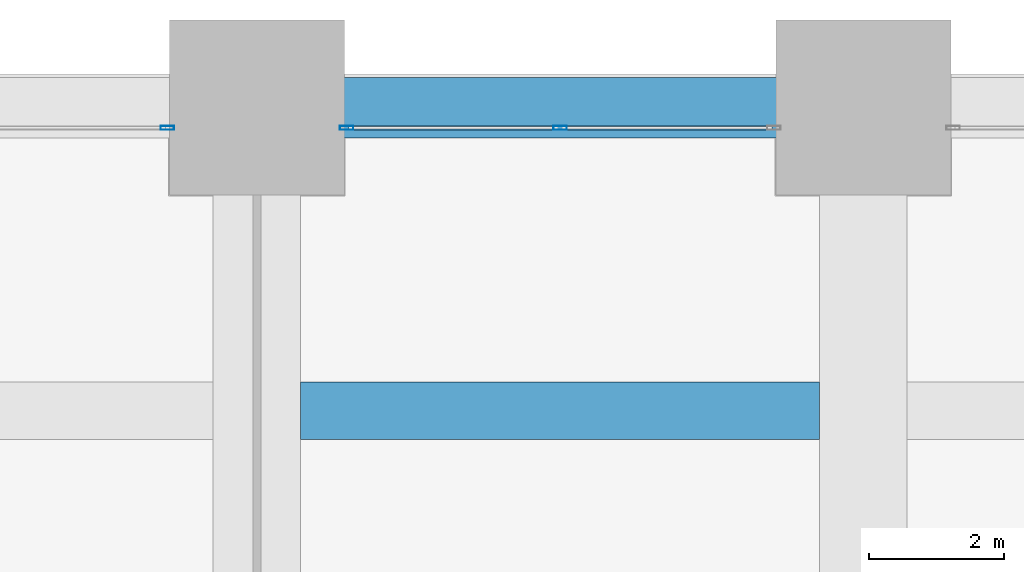
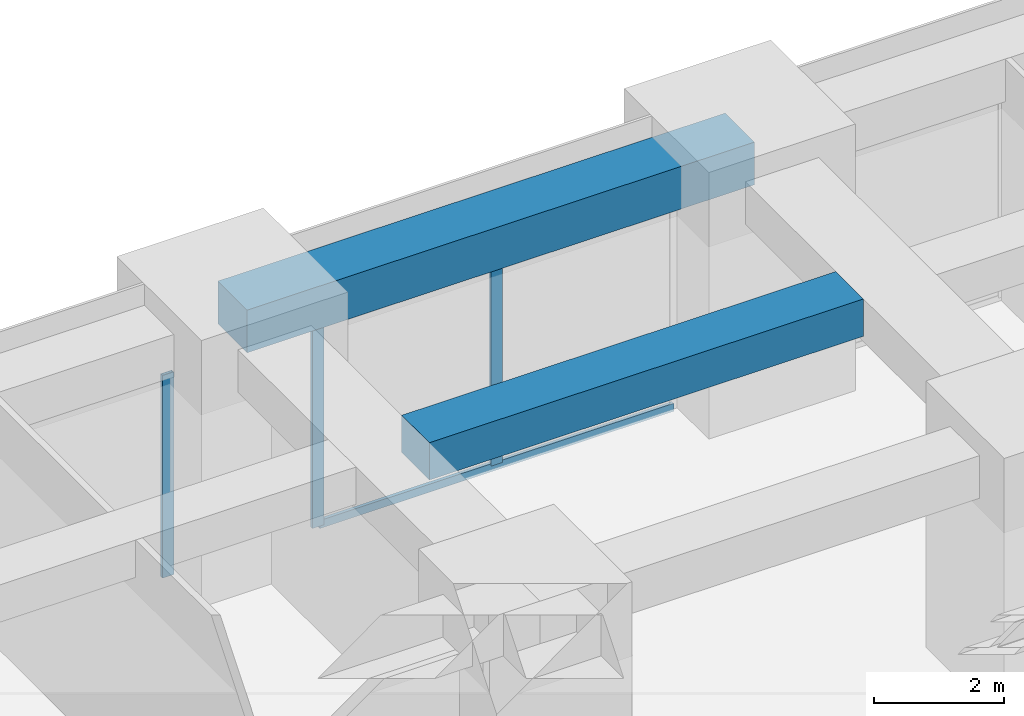
# One storey, part 25 of 46: 4 members, 2 beams, 2 elements without a shape of their own.
"""IFC4 building model written with IfcOpenShell, lengths in metres."""

import ifcopenshell
import ifcopenshell.guid

model = None  # the IFC model being written
_history = None  # IfcOwnerHistory: only IFC2X3 demands one
_inside = {}  # id of a spatial element -> (the spatial element, [elements in it])
_under = {}  # id of a project, library or spatial element -> (it, [spatial elements below it])
_declared = {}  # id of a project -> (the project, [libraries it declares])
_typed = {}  # id of a type object -> (the type object, [elements of that type])
_made_of = {}  # id of a material, layer set ... -> (it, [elements and type objects made of it])


def new_model(schema):
    """Start an empty IFC model of exactly this schema.

    Asked for "IFC4X3", IfcOpenShell would pick the latest addendum, in which some entities
    have other attributes; the version numbers below select the first issue.
    IFC2X3 requires an IfcOwnerHistory on every rooted entity: one is made here for all.
    """
    global model, _history
    if schema == "IFC4X3":
        model = ifcopenshell.file(schema_version=(4, 3, 0, 0))
    else:
        model = ifcopenshell.file(schema=schema)
    _inside.clear()
    _under.clear()
    _declared.clear()
    _typed.clear()
    _made_of.clear()
    _history = None
    if model.schema == "IFC2X3":
        org = make("IfcOrganization", Name="unknown")
        user = make(
            "IfcPersonAndOrganization",
            ThePerson=make("IfcPerson", FamilyName="unknown"),
            TheOrganization=org,
        )
        app = make(
            "IfcApplication",
            ApplicationDeveloper=org,
            Version="unknown",
            ApplicationFullName="unknown",
            ApplicationIdentifier="unknown",
        )
        _history = make(
            "IfcOwnerHistory",
            OwningUser=user,
            OwningApplication=app,
            ChangeAction="ADDED",
            CreationDate=0,
        )
    return model


def make(cls, **values):
    """One entity of the class cls with the attributes given. An attribute that is None is left unset."""
    return model.create_entity(
        cls, **{name: value for name, value in values.items() if value is not None}
    )


def rooted(cls, **values):
    """An entity with a GlobalId (a new one), such as an element, a storey or a relation."""
    return make(cls, GlobalId=ifcopenshell.guid.new(), OwnerHistory=_history, **values)


def si_unit(unit_type, name, prefix=None):
    """IfcSIUnit, for example si_unit("LENGTHUNIT", "METRE", prefix="MILLI")."""
    return make("IfcSIUnit", UnitType=unit_type, Prefix=prefix, Name=name)


def assignment(units):
    """IfcUnitAssignment: the units of a project."""
    return None if units is None else make("IfcUnitAssignment", Units=units)


def point(xyz):
    """IfcCartesianPoint."""
    return None if xyz is None else make("IfcCartesianPoint", Coordinates=xyz)


def direction(xyz):
    """IfcDirection."""
    return None if xyz is None else make("IfcDirection", DirectionRatios=xyz)


def frame(location, z_axis=None, x_axis=None):
    """IfcAxis2Placement3D, a coordinate frame: its origin and axes. An axis left out is left unset."""
    return make(
        "IfcAxis2Placement3D",
        Location=point(location),
        Axis=direction(z_axis),
        RefDirection=direction(x_axis),
    )


def frame_2d(location, x_axis=None):
    """IfcAxis2Placement2D, a coordinate frame in the plane: its origin and x axis."""
    return make(
        "IfcAxis2Placement2D", Location=point(location), RefDirection=direction(x_axis)
    )


def origin():
    """The frame at (0, 0, 0) with its axes left unset."""
    return frame((0.0, 0.0, 0.0))


def origin_2d():
    """The frame at (0, 0) in the plane with its x axis left unset."""
    return frame_2d((0.0, 0.0))


def place(relative_to, where):
    """IfcLocalPlacement: puts the frame where relative to a parent placement (None: the world)."""
    return make(
        "IfcLocalPlacement", PlacementRelTo=relative_to, RelativePlacement=where
    )


def context(
    kind, dimensions, precision=None, world=None, true_north=None, identifier=None
):
    """IfcGeometricRepresentationContext, for example the 3D "Model" context."""
    return make(
        "IfcGeometricRepresentationContext",
        ContextIdentifier=identifier,
        ContextType=kind,
        CoordinateSpaceDimension=dimensions,
        Precision=precision,
        WorldCoordinateSystem=world,
        TrueNorth=true_north,
    )


def subcontext(parent, identifier, kind, view, scale=None):
    """IfcGeometricRepresentationSubContext, for example "Body" below "Model"."""
    return make(
        "IfcGeometricRepresentationSubContext",
        ContextIdentifier=identifier,
        ContextType=kind,
        ParentContext=parent,
        TargetScale=scale,
        TargetView=view,
    )


def project(units=None, contexts=None):
    """IfcProject with its units and contexts."""
    return rooted(
        "IfcProject",
        Name="project",
        RepresentationContexts=contexts,
        UnitsInContext=assignment(units),
    )


def spatial(cls, under=None, at=None, **own):
    """A site, building, storey or space (cls), placed at a placement, below another one or the project."""
    s = rooted(cls, ObjectPlacement=at, **own)
    if under is not None:
        _under.setdefault(under.id(), (under, []))[1].append(s)
    return s


def profile(cls, at=None, kind="AREA", **sizes):
    """A parametric profile (cls). Its sizes go by their IFC names, for example OverallWidth=200.0."""
    return make(cls, ProfileType=kind, Position=at, **sizes)


def rectangle(**sizes):
    """IfcRectangleProfileDef."""
    return profile("IfcRectangleProfileDef", **sizes)


def hollow_rectangle(**sizes):
    """IfcRectangleHollowProfileDef."""
    return profile("IfcRectangleHollowProfileDef", **sizes)


def extrude(swept, where, along, depth):
    """IfcExtrudedAreaSolid: the profile swept, set in the frame where, extruded along a direction by depth."""
    return make(
        "IfcExtrudedAreaSolid",
        SweptArea=swept,
        Position=where,
        ExtrudedDirection=direction(along),
        Depth=depth,
    )


def shape(context_of_items, identifier, shape_type, items):
    """IfcShapeRepresentation: the items that make up one representation, for example the "Body"."""
    return make(
        "IfcShapeRepresentation",
        ContextOfItems=context_of_items,
        RepresentationIdentifier=identifier,
        RepresentationType=shape_type,
        Items=items,
    )


def material(Name=None, Category=None):
    """IfcMaterial."""
    return make("IfcMaterial", Name=Name, Category=Category)


def material_profile(
    of_material, cross_section, Name=None, Category=None, Priority=None
):
    """IfcMaterialProfile: a cross section and its material."""
    return make(
        "IfcMaterialProfile",
        Name=Name,
        Material=of_material,
        Profile=cross_section,
        Priority=Priority,
        Category=Category,
    )


def profile_set(profiles, Name=None, composite=None):
    """IfcMaterialProfileSet."""
    return make(
        "IfcMaterialProfileSet",
        Name=Name,
        MaterialProfiles=profiles,
        CompositeProfile=composite,
    )


def made_of(thing, what):
    """Note that an element or type object is made of a material, layer set ...; save() writes the relation."""
    if what is not None:
        _made_of.setdefault(what.id(), (what, []))[1].append(thing)
    return thing


def type_object(cls, material=None, **own):
    """A type object (cls), such as IfcWallType, which elements share."""
    return made_of(rooted(cls, **own), material)


def element(
    cls,
    number,
    at=None,
    inside=None,
    cuts=None,
    type_object=None,
    material=None,
    context=None,
    identifier="Body",
    shape_type=None,
    held_by="IfcProductDefinitionShape",
    body=None,
    shapes=None,
    **own,
):
    """One element of the class cls, such as IfcWall. Its Tag is "e" and its number.

    at: its placement. inside: the storey or other place that contains it. cuts: it is an
    opening in that element (IfcRelVoidsElement). A single representation is given by context,
    identifier, shape_type and body (its items); several are given by shapes. held_by: the class
    of the entity that holds the representations. save() writes the other relations.
    """
    e = rooted(cls, Tag="e%d" % number, ObjectPlacement=at, **own)
    if body is not None:
        shapes = [shape(context, identifier, shape_type, body)]
    if shapes is not None:
        e.Representation = make(held_by, Representations=shapes)
    if inside is not None:
        _inside.setdefault(inside.id(), (inside, []))[1].append(e)
    if cuts is not None:
        rooted(
            "IfcRelVoidsElement", RelatingBuildingElement=cuts, RelatedOpeningElement=e
        )
    if type_object is not None:
        _typed.setdefault(type_object.id(), (type_object, []))[1].append(e)
    return made_of(e, material)


def aggregate(whole, parts):
    """IfcRelAggregates: a whole, such as a stair, and the parts it consists of."""
    return rooted("IfcRelAggregates", RelatingObject=whole, RelatedObjects=parts)


def save(model, path):
    """Write the relations noted so far, then the file.

    IfcRelAggregates (storeys below a building ...), IfcRelContainedInSpatialStructure (elements
    in a storey), IfcRelDefinesByType, IfcRelAssociatesMaterial and IfcRelDeclares: one each for
    every whole, place, type object, material and project.
    """
    for whole, parts in _under.values():
        aggregate(whole, parts)
    for where, things in _inside.values():
        rooted(
            "IfcRelContainedInSpatialStructure",
            RelatedElements=things,
            RelatingStructure=where,
        )
    for kind, things in _typed.values():
        rooted("IfcRelDefinesByType", RelatedObjects=things, RelatingType=kind)
    for what, things in _made_of.values():
        rooted("IfcRelAssociatesMaterial", RelatedObjects=things, RelatingMaterial=what)
    for by, libraries in _declared.values():
        rooted("IfcRelDeclares", RelatingContext=by, RelatedDefinitions=libraries)
    model.write(path)


model = new_model("IFC4")

# Units and contexts
model_context = context("Model", 3, precision=1e-05, world=origin(), true_north=direction((0.0, 1.0)))
body_context = subcontext(model_context, "Body", "Model", "MODEL_VIEW")
ifc_project = project(units=[si_unit("LENGTHUNIT", "METRE"), si_unit("AREAUNIT", "SQUARE_METRE"), si_unit("VOLUMEUNIT", "CUBIC_METRE"), si_unit("PLANEANGLEUNIT", "RADIAN"), si_unit("MASSUNIT", "GRAM", prefix="KILO")], contexts=[model_context])

# Site, building, storey
site_placement = place(None, origin())
site = spatial("IfcSite", under=ifc_project, at=site_placement, CompositionType="ELEMENT")
building_placement = place(site_placement, origin())
building = spatial("IfcBuilding", under=site, at=building_placement, Name="Zorevar Civic Tower", CompositionType="ELEMENT")
storey_placement = place(building_placement, frame((0.0, 0.0, 10.800048828125)))
storey = spatial("IfcBuildingStorey", under=building, at=storey_placement, Name="L02", CompositionType="ELEMENT", Elevation=10.800048828125)

# Beam
ifc_material_1 = material(Name="Concrete C50/60", Category="concrete")
ifc_material_profile_1 = material_profile(ifc_material_1, rectangle(XDim=0.85009765625, YDim=0.699951171875, at=origin_2d()), Name="RC 850x700")
ifc_profile_set_1 = profile_set([ifc_material_profile_1], Name="Concrete C50/60")
beam_type_1 = type_object("IfcBeamType", Name="Beam RC 850x700", PredefinedType="BEAM", material=ifc_profile_set_1)
beam_1_placement = place(storey_placement, frame((18.64990234375, 49.5, 4.25), z_axis=(1.0, 0.0, 0.0), x_axis=(0.0, 1.0, 0.0)))
element("IfcBeam", 1, at=beam_1_placement, inside=storey, type_object=beam_type_1, Name="Secondary beam L03", PredefinedType="BEAM", context=body_context, shape_type="SweptSolid", body=[
    extrude(rectangle(XDim=0.85009765625, YDim=0.699951171875, at=origin_2d()), origin(), (0.0, 0.0, 1.0), 7.7001953125),
])

# Curtain wall, member
ifc_material_2 = material(Name="Dark grey solar-control glass in black aluminium frame", Category="aluminium")
curtain_wall_type = type_object("IfcCurtainWallType", Name="Curtain wall CW1 podium", PredefinedType="NOTDEFINED", material=ifc_material_2)
curtain_wall_1_placement = place(storey_placement, origin())
curtain_wall_1 = element("IfcCurtainWall", 2, at=curtain_wall_1_placement, inside=storey, type_object=curtain_wall_type, Name="CW1 L02", PredefinedType="NOTDEFINED")
ifc_material_3 = material(Name="Aluminium, black anodised", Category="aluminium")
ifc_material_profile_2 = material_profile(ifc_material_3, hollow_rectangle(XDim=0.06005859375, YDim=0.199951171875, WallThickness=0.00390625, at=origin_2d()), Name="AL 200x60x4")
ifc_profile_set_2 = profile_set([ifc_material_profile_2], Name="Aluminium, black anodised")
member_type_1 = type_object("IfcMemberType", Name="CW1 mullion AL 200x60x4", PredefinedType="MULLION", material=ifc_profile_set_2)
member_1_placement = place(storey_placement, frame((16.669921875, 53.699951171875, 0.0), z_axis=(0.0, 0.0, 1.0), x_axis=(0.0, 1.0, 0.0)))
member_1 = element("IfcMember", 3, at=member_1_placement, type_object=member_type_1, Name="CW1 mullion 3", PredefinedType="MULLION", context=body_context, shape_type="SweptSolid", body=[
    extrude(hollow_rectangle(XDim=0.06005859375, YDim=0.199951171875, WallThickness=0.00390625, at=origin_2d()), origin(), (0.0, 0.0, 1.0), 3.800048828125),
])
aggregate(curtain_wall_1, [member_1])

# Curtain wall, members
curtain_wall_2_placement = place(storey_placement, origin())
curtain_wall_2 = element("IfcCurtainWall", 4, at=curtain_wall_2_placement, inside=storey, type_object=curtain_wall_type, Name="CW1 L02", PredefinedType="NOTDEFINED")
member_2_placement = place(storey_placement, frame((19.330078125, 53.699951171875, 0.0), z_axis=(0.0, 0.0, 1.0), x_axis=(0.0, 1.0, 0.0)))
member_2 = element("IfcMember", 5, at=member_2_placement, type_object=member_type_1, Name="CW1 mullion 1", PredefinedType="MULLION", context=body_context, shape_type="SweptSolid", body=[
    extrude(hollow_rectangle(XDim=0.06005859375, YDim=0.199951171875, WallThickness=0.00390625, at=origin_2d()), origin(), (0.0, 0.0, 1.0), 3.800048828125),
])
member_3_placement = place(storey_placement, frame((22.5, 53.699951171875, 0.06005859375), z_axis=(0.0, 0.0, 1.0), x_axis=(0.0, 1.0, 0.0)))
member_3 = element("IfcMember", 6, at=member_3_placement, type_object=member_type_1, Name="CW1 mullion 2", PredefinedType="MULLION", context=body_context, shape_type="SweptSolid", body=[
    extrude(hollow_rectangle(XDim=0.06005859375, YDim=0.199951171875, WallThickness=0.00390625, at=origin_2d()), origin(), (0.0, 0.0, 1.0), 3.739990234375),
])
ifc_material_4 = material(Name="Aluminium, black anodised", Category="aluminium")
ifc_material_profile_3 = material_profile(ifc_material_4, hollow_rectangle(XDim=0.06005859375, YDim=0.14990234375, WallThickness=0.00390625, at=origin_2d()), Name="AL 150x60x4")
ifc_profile_set_3 = profile_set([ifc_material_profile_3], Name="Aluminium, black anodised")
member_type_2 = type_object("IfcMemberType", Name="CW1 transom AL 150x60x4", PredefinedType="USERDEFINED", material=ifc_profile_set_3)
member_4_placement = place(storey_placement, frame((19.360107421875, 53.699951171875, 0.030029296875), z_axis=(1.0, 0.0, 0.0), x_axis=(0.0, 1.0, 0.0)))
member_4 = element("IfcMember", 7, at=member_4_placement, type_object=member_type_2, Name="CW1 sill transom", ObjectType="TRANSOM", PredefinedType="USERDEFINED", context=body_context, shape_type="SweptSolid", body=[
    extrude(hollow_rectangle(XDim=0.06005859375, YDim=0.14990234375, WallThickness=0.00390625, at=origin_2d()), origin(), (0.0, 0.0, 1.0), 6.27978515625),
])
aggregate(curtain_wall_2, [member_2, member_3, member_4])

# Beam
ifc_material_5 = material(Name="Concrete C50/60", Category="concrete")
ifc_material_profile_4 = material_profile(ifc_material_5, rectangle(XDim=0.89990234375, YDim=0.800048828125, at=origin_2d()), Name="RC 900x800")
ifc_profile_set_4 = profile_set([ifc_material_profile_4], Name="Concrete C50/60")
beam_type_2 = type_object("IfcBeamType", Name="Edge beam RC 900x800", PredefinedType="SPANDREL", material=ifc_profile_set_4)
beam_2_placement = place(storey_placement, frame((18.0, 54.0, 4.199951171875), z_axis=(1.0, 0.0, 0.0), x_axis=(0.0, 1.0, 0.0)))
element("IfcBeam", 8, at=beam_2_placement, inside=storey, type_object=beam_type_2, Name="Edge beam L03", PredefinedType="SPANDREL", context=body_context, shape_type="SweptSolid", body=[
    extrude(rectangle(XDim=0.89990234375, YDim=0.800048828125, at=origin_2d()), origin(), (0.0, 0.0, 1.0), 9.0),
])

save(model, "model.ifc")
